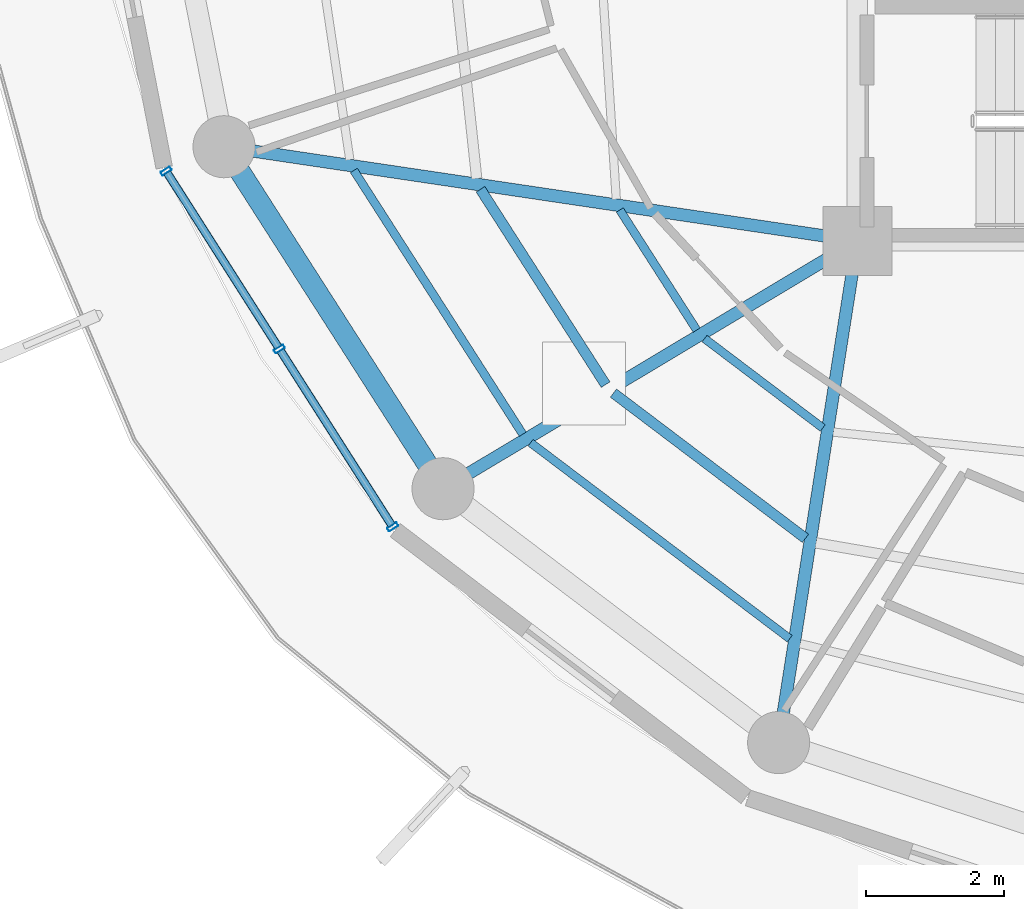
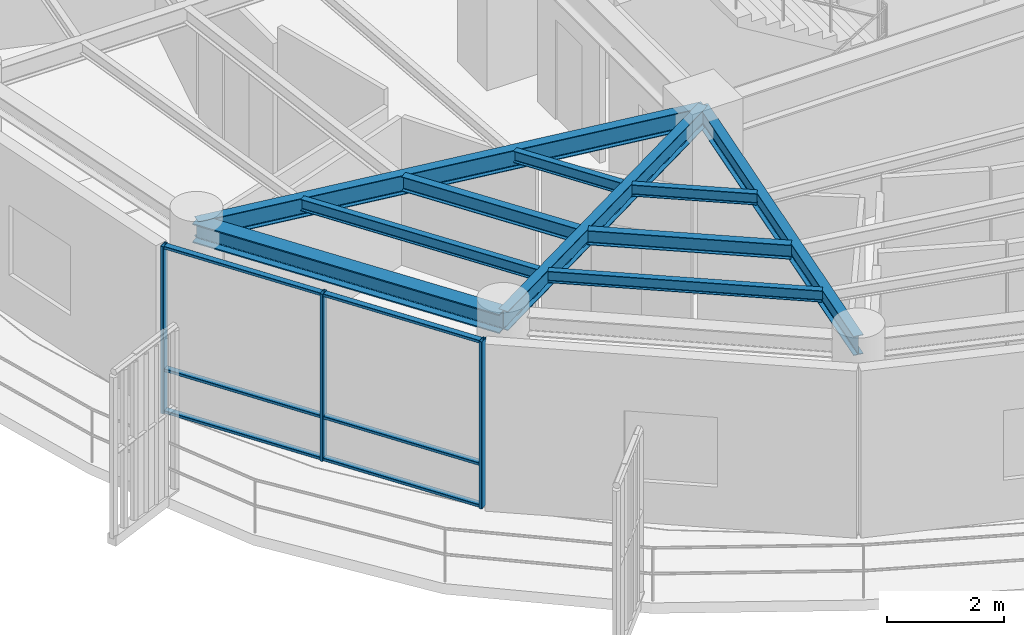
# One storey, part 2 of 24: 10 beams, 9 members, 1 element without a shape of its own.
"""IFC4 building model written with IfcOpenShell, lengths in metres."""

from ifc_helpers import new_model, si_unit, direction, frame, origin, origin_2d, place, context, subcontext, project, spatial, hollow_rectangle, i_section, extrude, material, layer, layer_set, material_profile, profile_set, type_object, element, aggregate, save


model = new_model("IFC4")

# Units and contexts
model_context = context("Model", 3, precision=1e-05, world=origin(), true_north=direction((0.0, 1.0)))
body_context = subcontext(model_context, "Body", "Model", "MODEL_VIEW")
ifc_project = project(units=[si_unit("LENGTHUNIT", "METRE"), si_unit("AREAUNIT", "SQUARE_METRE"), si_unit("VOLUMEUNIT", "CUBIC_METRE"), si_unit("PLANEANGLEUNIT", "RADIAN"), si_unit("MASSUNIT", "GRAM", prefix="KILO")], contexts=[model_context])

# Site, building, storey
site_placement = place(None, origin())
site = spatial("IfcSite", under=ifc_project, at=site_placement, CompositionType="ELEMENT")
building_placement = place(site_placement, origin())
building = spatial("IfcBuilding", under=site, at=building_placement, Name="Kelanora Arch Commons", CompositionType="ELEMENT")
storey_placement = place(building_placement, frame((0.0, 0.0, 248.699951171875)))
storey = spatial("IfcBuildingStorey", under=building, at=storey_placement, Name="L63", CompositionType="ELEMENT", Elevation=248.699951171875)

# Beams
ifc_material_1 = material(Name="Steel S355", Category="steel")
ifc_material_profile_1 = material_profile(ifc_material_1, i_section(OverallWidth=0.14990234375, OverallDepth=0.300048828125, WebThickness=0.007080078125, FlangeThickness=0.0107421875, FilletRadius=0.014892578125, at=origin_2d()), Name="IPE300")
ifc_profile_set_1 = profile_set([ifc_material_profile_1], Name="Steel S355")
beam_type_1 = type_object("IfcBeamType", Name="BM-JST-01", PredefinedType="JOIST", material=ifc_profile_set_1)
beam_1_placement = place(storey_placement, frame((60.539306640625, 51.74658203125, 3.340087890625), z_axis=(0.539321586177, -0.842099891155, 0.0), x_axis=(0.842099891155, 0.539321586177, 0.0)))
element("IfcBeam", 1, at=beam_1_placement, inside=storey, type_object=beam_type_1, Name="Secondary Chord Joist BJB-20 L63", PredefinedType="JOIST", context=body_context, shape_type="SweptSolid", body=[
    extrude(i_section(OverallWidth=0.14990234375, OverallDepth=0.300048828125, WebThickness=0.007080078125, FlangeThickness=0.0107421875, FilletRadius=0.014892578125, at=origin_2d()), origin(), (0.0, 0.0, 1.0), 3.361572265625),
])
beam_2_placement = place(storey_placement, frame((62.4658203125, 48.79296875, 3.340087890625), z_axis=(0.797499198801, -0.603320004568, 0.0), x_axis=(0.603320004568, 0.797499198801, 0.0)))
element("IfcBeam", 2, at=beam_2_placement, inside=storey, type_object=beam_type_1, Name="Secondary Chord Joist BJB-22 L63", PredefinedType="JOIST", context=body_context, shape_type="SweptSolid", body=[
    extrude(i_section(OverallWidth=0.14990234375, OverallDepth=0.300048828125, WebThickness=0.007080078125, FlangeThickness=0.0107421875, FilletRadius=0.014892578125, at=origin_2d()), origin(), (0.0, 0.0, 1.0), 3.489013671875),
])
ifc_material_profile_2 = material_profile(ifc_material_1, i_section(OverallWidth=0.1201171875, OverallDepth=0.239990234375, WebThickness=0.006103515625, FlangeThickness=0.009765625, FilletRadius=0.014892578125, at=origin_2d()), Name="IPE240")
ifc_profile_set_2 = profile_set([ifc_material_profile_2], Name="Steel S355")
beam_type_2 = type_object("IfcBeamType", Name="BM-JST-02", PredefinedType="JOIST", material=ifc_profile_set_2)
beam_3_placement = place(storey_placement, frame((62.558349609375, 51.446533203125, 3.3701171875), z_axis=(0.539311810315, -0.842106152011, 0.0), x_axis=(0.842106152011, 0.539311810315, 0.0)))
element("IfcBeam", 3, at=beam_3_placement, inside=storey, type_object=beam_type_2, Name="Secondary Chord Joist BJA-20 L63", PredefinedType="JOIST", context=body_context, shape_type="SweptSolid", body=[
    extrude(i_section(OverallWidth=0.1201171875, OverallDepth=0.239990234375, WebThickness=0.006103515625, FlangeThickness=0.009765625, FilletRadius=0.014892578125, at=origin_2d()), origin(), (0.0, 0.0, 1.0), 2.06640625),
])
beam_4_placement = place(storey_placement, frame((58.703857421875, 52.019287109375, 3.3701171875), z_axis=(0.539288735289, -0.842120929552, 0.0), x_axis=(0.842120929552, 0.539288735289, 0.0)))
element("IfcBeam", 4, at=beam_4_placement, inside=storey, type_object=beam_type_2, Name="Secondary Chord Joist BJC-20 L63", PredefinedType="JOIST", context=body_context, shape_type="SweptSolid", body=[
    extrude(i_section(OverallWidth=0.1201171875, OverallDepth=0.239990234375, WebThickness=0.006103515625, FlangeThickness=0.009765625, FilletRadius=0.014892578125, at=origin_2d()), origin(), (0.0, 0.0, 1.0), 4.538818359375),
])
beam_5_placement = place(storey_placement, frame((63.78662109375, 49.583251953125, 3.3701171875), z_axis=(0.797509883882, -0.603305880222, 0.0), x_axis=(0.603305880222, 0.797509883882, 0.0)))
element("IfcBeam", 5, at=beam_5_placement, inside=storey, type_object=beam_type_2, Name="Secondary Chord Joist BJA-22 L63", PredefinedType="JOIST", context=body_context, shape_type="SweptSolid", body=[
    extrude(i_section(OverallWidth=0.1201171875, OverallDepth=0.239990234375, WebThickness=0.006103515625, FlangeThickness=0.009765625, FilletRadius=0.014892578125, at=origin_2d()), origin(), (0.0, 0.0, 1.0), 2.147216796875),
])
beam_6_placement = place(storey_placement, frame((61.26513671875, 48.07421875, 3.3701171875), z_axis=(0.79752302984, -0.60328850219, 0.0), x_axis=(0.60328850219, 0.79752302984, 0.0)))
element("IfcBeam", 6, at=beam_6_placement, inside=storey, type_object=beam_type_2, Name="Secondary Chord Joist BJC-22 L63", PredefinedType="JOIST", context=body_context, shape_type="SweptSolid", body=[
    extrude(i_section(OverallWidth=0.1201171875, OverallDepth=0.239990234375, WebThickness=0.006103515625, FlangeThickness=0.009765625, FilletRadius=0.014892578125, at=origin_2d()), origin(), (0.0, 0.0, 1.0), 4.70849609375),
])
ifc_material_profile_3 = material_profile(ifc_material_1, i_section(OverallWidth=0.179931640625, OverallDepth=0.39990234375, WebThickness=0.008544921875, FlangeThickness=0.013427734375, FilletRadius=0.02099609375, at=origin_2d()), Name="IPE400")
ifc_profile_set_3 = profile_set([ifc_material_profile_3], Name="Steel S355")
beam_type_3 = type_object("IfcBeamType", Name="BM-RAD-Z5", PredefinedType="BEAM", material=ifc_profile_set_3)
beam_7_placement = place(storey_placement, frame((66.0, 51.0, 3.2900390625), z_axis=(-0.989142485564, 0.146959665395, 0.0), x_axis=(-0.146959665395, -0.989142485564, 0.0)))
element("IfcBeam", 7, at=beam_7_placement, inside=storey, type_object=beam_type_3, Name="Radial Floor Girder BR-20 L63", PredefinedType="BEAM", context=body_context, shape_type="SweptSolid", body=[
    extrude(i_section(OverallWidth=0.179931640625, OverallDepth=0.39990234375, WebThickness=0.008544921875, FlangeThickness=0.013427734375, FilletRadius=0.02099609375, at=origin_2d()), origin(), (0.0, 0.0, 1.0), 9.2783203125),
])
beam_8_placement = place(storey_placement, frame((66.0, 51.0, 3.2900390625), z_axis=(-0.858062005744, -0.513546097541, 0.0), x_axis=(0.513546097541, -0.858062005744, 0.0)))
element("IfcBeam", 8, at=beam_8_placement, inside=storey, type_object=beam_type_3, Name="Radial Floor Girder BR-22 L63", PredefinedType="BEAM", context=body_context, shape_type="SweptSolid", body=[
    extrude(i_section(OverallWidth=0.179931640625, OverallDepth=0.39990234375, WebThickness=0.008544921875, FlangeThickness=0.013427734375, FilletRadius=0.02099609375, at=origin_2d()), origin(), (0.0, 0.0, 1.0), 6.99658203125),
])
beam_9_placement = place(storey_placement, frame((66.0, 51.0, 3.2900390625), z_axis=(-0.154855424129, -0.987937142544, 0.0), x_axis=(0.987937142544, -0.154855424129, 0.0)))
element("IfcBeam", 9, at=beam_9_placement, inside=storey, type_object=beam_type_3, Name="Radial Floor Girder BR-24 L63", PredefinedType="BEAM", context=body_context, shape_type="SweptSolid", body=[
    extrude(i_section(OverallWidth=0.179931640625, OverallDepth=0.39990234375, WebThickness=0.008544921875, FlangeThickness=0.013427734375, FilletRadius=0.02099609375, at=origin_2d()), origin(), (0.0, 0.0, 1.0), 7.361083984375),
])
ifc_material_profile_4 = material_profile(ifc_material_1, i_section(OverallWidth=0.300048828125, OverallDepth=0.39990234375, WebThickness=0.013427734375, FlangeThickness=0.02392578125, FilletRadius=0.027099609375, at=origin_2d()), Name="HEB400")
ifc_profile_set_4 = profile_set([ifc_material_profile_4], Name="Steel S355")
beam_type_4 = type_object("IfcBeamType", Name="BM-SPN-Z4", PredefinedType="SPANDREL", material=ifc_profile_set_4)
beam_10_placement = place(storey_placement, frame((56.822509765625, 52.363525390625, 3.2900390625), z_axis=(0.539280851353, -0.842125978322, 0.0), x_axis=(0.842125978322, 0.539280851353, 0.0)))
element("IfcBeam", 10, at=beam_10_placement, inside=storey, type_object=beam_type_4, Name="Perimeter Spandrel Beam BS-20 L63", PredefinedType="SPANDREL", context=body_context, shape_type="SweptSolid", body=[
    extrude(i_section(OverallWidth=0.300048828125, OverallDepth=0.39990234375, WebThickness=0.013427734375, FlangeThickness=0.02392578125, FilletRadius=0.027099609375, at=origin_2d()), origin(), (0.0, 0.0, 1.0), 5.8857421875),
])

# Curtain wall, members
ifc_material_2 = material(Name="Terracotta ceramic-fritted low-E glass and aluminium", Category="masonry")
ifc_layer = layer(ifc_material_2, 0.18994140625)
ifc_layer_set = layer_set([ifc_layer], Name="Terracotta ceramic-fritted low-E glass and aluminium")
curtain_wall_type = type_object("IfcCurtainWallType", Name="CW-SYS-03", PredefinedType="NOTDEFINED", material=ifc_layer_set)
curtain_wall_placement = place(storey_placement, origin())
curtain_wall = element("IfcCurtainWall", 11, at=curtain_wall_placement, inside=storey, type_object=curtain_wall_type, Name="Unitised Curtain Wall L63-B10", PredefinedType="NOTDEFINED")
ifc_material_3 = material(Name="Powder-coated aluminium terracotta", Category="masonry")
ifc_material_profile_5 = material_profile(ifc_material_3, hollow_rectangle(XDim=0.159912109375, YDim=0.06005859375, WallThickness=0.0048828125, InnerFilletRadius=0.0048828125, OuterFilletRadius=0.010009765625, at=origin_2d()), Name="CWM160x60")
ifc_profile_set_5 = profile_set([ifc_material_profile_5], Name="Powder-coated aluminium terracotta")
member_type_1 = type_object("IfcMemberType", Name="CWM-STD", PredefinedType="MULLION", material=ifc_profile_set_5)
member_1_placement = place(storey_placement, frame((55.982177734375, 52.0107421875, 0.0), z_axis=(0.0, 0.0, 1.0), x_axis=(0.843391314545, 0.537299814397, 0.0)))
member_1 = element("IfcMember", 12, at=member_1_placement, type_object=member_type_1, Name="CW-03 mullion 1", PredefinedType="MULLION", context=body_context, shape_type="SweptSolid", body=[
    extrude(hollow_rectangle(XDim=0.159912109375, YDim=0.06005859375, WallThickness=0.0048828125, InnerFilletRadius=0.0048828125, OuterFilletRadius=0.010009765625, at=origin_2d()), origin(), (0.0, 0.0, 1.0), 3.47509765625),
])
member_2_placement = place(storey_placement, frame((57.625, 49.43212890625, 0.0), z_axis=(0.0, 0.0, 1.0), x_axis=(0.843391314545, 0.537299814397, 0.0)))
member_2 = element("IfcMember", 13, at=member_2_placement, type_object=member_type_1, Name="CW-03 mullion 2", PredefinedType="MULLION", context=body_context, shape_type="SweptSolid", body=[
    extrude(hollow_rectangle(XDim=0.159912109375, YDim=0.06005859375, WallThickness=0.0048828125, InnerFilletRadius=0.0048828125, OuterFilletRadius=0.010009765625, at=origin_2d()), origin(), (0.0, 0.0, 1.0), 3.47509765625),
])
member_3_placement = place(storey_placement, frame((59.267578125, 46.853515625, 0.0), z_axis=(0.0, 0.0, 1.0), x_axis=(0.843391314545, 0.537299814397, 0.0)))
member_3 = element("IfcMember", 14, at=member_3_placement, type_object=member_type_1, Name="CW-03 mullion 3", PredefinedType="MULLION", context=body_context, shape_type="SweptSolid", body=[
    extrude(hollow_rectangle(XDim=0.159912109375, YDim=0.06005859375, WallThickness=0.0048828125, InnerFilletRadius=0.0048828125, OuterFilletRadius=0.010009765625, at=origin_2d()), origin(), (0.0, 0.0, 1.0), 3.47509765625),
])
ifc_material_profile_6 = material_profile(ifc_material_3, hollow_rectangle(XDim=0.1201171875, YDim=0.06005859375, WallThickness=0.0048828125, InnerFilletRadius=0.0048828125, OuterFilletRadius=0.010009765625, at=origin_2d()), Name="CWT120x60")
ifc_profile_set_6 = profile_set([ifc_material_profile_6], Name="Powder-coated aluminium terracotta")
member_type_2 = type_object("IfcMemberType", Name="CWT-STD", PredefinedType="USERDEFINED", material=ifc_profile_set_6)
member_4_placement = place(storey_placement, frame((55.998291015625, 51.985595703125, 0.030029296875), z_axis=(0.537307571338, -0.843386372775, 0.0), x_axis=(0.843386372775, 0.537307571338, 0.0)))
member_4 = element("IfcMember", 15, at=member_4_placement, type_object=member_type_2, Name="CW-03 transom 1.1", ObjectType="TRANSOM", PredefinedType="USERDEFINED", context=body_context, shape_type="SweptSolid", body=[
    extrude(hollow_rectangle(XDim=0.1201171875, YDim=0.06005859375, WallThickness=0.0048828125, InnerFilletRadius=0.0048828125, OuterFilletRadius=0.010009765625, at=origin_2d()), origin(), (0.0, 0.0, 1.0), 2.99755859375),
])
member_5_placement = place(storey_placement, frame((55.998291015625, 51.985595703125, 0.900146484375), z_axis=(0.537307571338, -0.843386372775, 0.0), x_axis=(0.843386372775, 0.537307571338, 0.0)))
member_5 = element("IfcMember", 16, at=member_5_placement, type_object=member_type_2, Name="CW-03 transom 1.2", ObjectType="TRANSOM", PredefinedType="USERDEFINED", context=body_context, shape_type="SweptSolid", body=[
    extrude(hollow_rectangle(XDim=0.1201171875, YDim=0.06005859375, WallThickness=0.0048828125, InnerFilletRadius=0.0048828125, OuterFilletRadius=0.010009765625, at=origin_2d()), origin(), (0.0, 0.0, 1.0), 2.99755859375),
])
member_6_placement = place(storey_placement, frame((55.998291015625, 51.985595703125, 3.445068359375), z_axis=(0.537307571338, -0.843386372775, 0.0), x_axis=(0.843386372775, 0.537307571338, 0.0)))
member_6 = element("IfcMember", 17, at=member_6_placement, type_object=member_type_2, Name="CW-03 transom 1.3", ObjectType="TRANSOM", PredefinedType="USERDEFINED", context=body_context, shape_type="SweptSolid", body=[
    extrude(hollow_rectangle(XDim=0.1201171875, YDim=0.06005859375, WallThickness=0.0048828125, InnerFilletRadius=0.0048828125, OuterFilletRadius=0.010009765625, at=origin_2d()), origin(), (0.0, 0.0, 1.0), 2.99755859375),
])
member_7_placement = place(storey_placement, frame((57.64111328125, 49.40673828125, 0.030029296875), z_axis=(0.537286543791, -0.84339976871, 0.0), x_axis=(0.84339976871, 0.537286543791, 0.0)))
member_7 = element("IfcMember", 18, at=member_7_placement, type_object=member_type_2, Name="CW-03 transom 2.1", ObjectType="TRANSOM", PredefinedType="USERDEFINED", context=body_context, shape_type="SweptSolid", body=[
    extrude(hollow_rectangle(XDim=0.1201171875, YDim=0.06005859375, WallThickness=0.0048828125, InnerFilletRadius=0.0048828125, OuterFilletRadius=0.010009765625, at=origin_2d()), origin(), (0.0, 0.0, 1.0), 2.997314453125),
])
member_8_placement = place(storey_placement, frame((57.64111328125, 49.40673828125, 0.900146484375), z_axis=(0.537286543791, -0.84339976871, 0.0), x_axis=(0.84339976871, 0.537286543791, 0.0)))
member_8 = element("IfcMember", 19, at=member_8_placement, type_object=member_type_2, Name="CW-03 transom 2.2", ObjectType="TRANSOM", PredefinedType="USERDEFINED", context=body_context, shape_type="SweptSolid", body=[
    extrude(hollow_rectangle(XDim=0.1201171875, YDim=0.06005859375, WallThickness=0.0048828125, InnerFilletRadius=0.0048828125, OuterFilletRadius=0.010009765625, at=origin_2d()), origin(), (0.0, 0.0, 1.0), 2.997314453125),
])
member_9_placement = place(storey_placement, frame((57.64111328125, 49.40673828125, 3.445068359375), z_axis=(0.537286543791, -0.84339976871, 0.0), x_axis=(0.84339976871, 0.537286543791, 0.0)))
member_9 = element("IfcMember", 20, at=member_9_placement, type_object=member_type_2, Name="CW-03 transom 2.3", ObjectType="TRANSOM", PredefinedType="USERDEFINED", context=body_context, shape_type="SweptSolid", body=[
    extrude(hollow_rectangle(XDim=0.1201171875, YDim=0.06005859375, WallThickness=0.0048828125, InnerFilletRadius=0.0048828125, OuterFilletRadius=0.010009765625, at=origin_2d()), origin(), (0.0, 0.0, 1.0), 2.997314453125),
])
aggregate(curtain_wall, [member_1, member_2, member_3, member_4, member_5, member_6, member_7, member_8, member_9])

save(model, "model.ifc")
